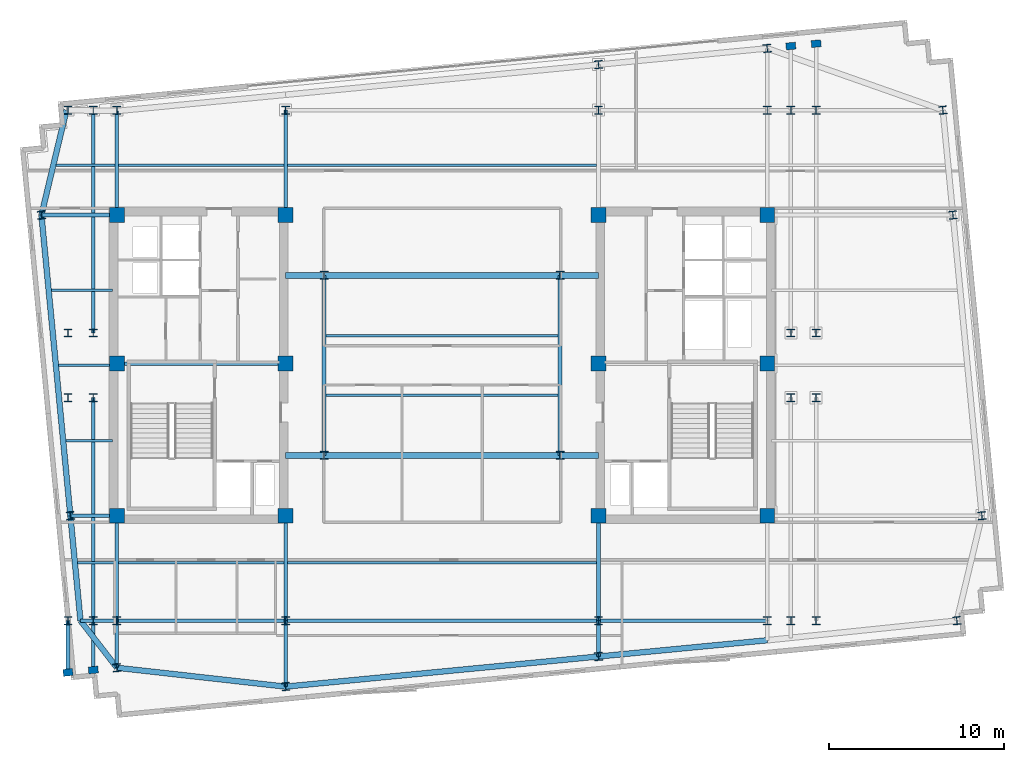
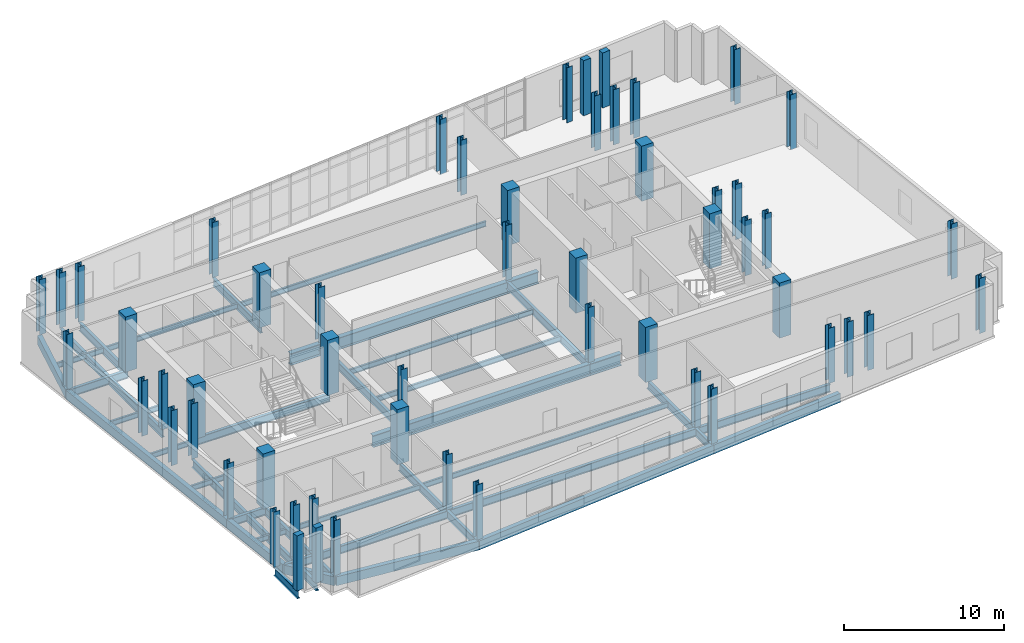
# One storey, part 1 of 11: 55 columns, 45 beams.
"""IFC4 building model written with IfcOpenShell, lengths in metres."""

from ifc_helpers import new_model, si_unit, direction, frame, origin, origin_2d, place, context, subcontext, project, spatial, rectangle, i_section, extrude, material, material_profile, profile_set, type_object, element, save


model = new_model("IFC4")

# Units and contexts
model_context = context("Model", 3, precision=1e-05, world=origin(), true_north=direction((0.0, 1.0)))
body_context = subcontext(model_context, "Body", "Model", "MODEL_VIEW")
ifc_project = project(units=[si_unit("LENGTHUNIT", "METRE"), si_unit("AREAUNIT", "SQUARE_METRE"), si_unit("VOLUMEUNIT", "CUBIC_METRE"), si_unit("PLANEANGLEUNIT", "RADIAN"), si_unit("MASSUNIT", "GRAM", prefix="KILO")], contexts=[model_context])

# Site, building, storey
site_placement = place(None, origin())
site = spatial("IfcSite", under=ifc_project, at=site_placement, CompositionType="ELEMENT")
building_placement = place(site_placement, origin())
building = spatial("IfcBuilding", under=site, at=building_placement, Name="Velakula Bourse", CompositionType="ELEMENT")
storey_placement = place(building_placement, frame((0.0, 0.0, 282.75)))
storey = spatial("IfcBuildingStorey", under=building, at=storey_placement, Name="L77", CompositionType="ELEMENT", Elevation=282.75)

# Columns
ifc_material_1 = material(Name="Concrete M50 (fck 50 MPa)", Category="concrete")
ifc_material_profile_1 = material_profile(ifc_material_1, rectangle(XDim=0.85009765625, YDim=0.85009765625, at=origin_2d()), Name="Concrete M50 (fck 50 MPa)")
ifc_profile_set_1 = profile_set([ifc_material_profile_1], Name="Concrete M50 (fck 50 MPa)")
column_type_1 = type_object("IfcColumnType", Name="COL-RC-850", PredefinedType="COLUMN", material=ifc_profile_set_1)
for number, where, z_axis, x_axis, name in (
    (1, (-8.949951171875, -8.60009765625, 0.0), (0.0, 0.0, 1.0), (1.0, 0.0, 0.0), "L77 Core Boundary Column 01"),
    (2, (-8.949951171875, 0.10009765625, 0.0), (0.0, 0.0, 1.0), (1.0, 0.0, 0.0), "L77 Core Boundary Column 02"),
    (3, (-8.949951171875, 8.60009765625, 0.0), (0.0, 0.0, 1.0), (1.0, 0.0, 0.0), "L77 Core Boundary Column 03"),
    (4, (-18.60009765625, -8.60009765625, 0.0), (0.0, 0.0, 1.0), (1.0, 0.0, 0.0), "L77 Core Boundary Column 04"),
    (5, (-18.60009765625, 0.10009765625, 0.0), (0.0, 0.0, 1.0), (1.0, 0.0, 0.0), "L77 Core Boundary Column 05"),
    (6, (-18.60009765625, 8.60009765625, 0.0), (0.0, 0.0, 1.0), (1.0, 0.0, 0.0), "L77 Core Boundary Column 06"),
    (7, (8.949951171875, -8.60009765625, 0.0), (0.0, 0.0, 1.0), (1.0, 0.0, 0.0), "L77 Core Boundary Column 07"),
    (8, (8.949951171875, 0.10009765625, 0.0), (0.0, 0.0, 1.0), (1.0, 0.0, 0.0), "L77 Core Boundary Column 08"),
    (9, (8.949951171875, 8.60009765625, 0.0), (0.0, 0.0, 1.0), (1.0, 0.0, 0.0), "L77 Core Boundary Column 09"),
    (10, (18.60009765625, -8.60009765625, 0.0), (0.0, 0.0, 1.0), (1.0, 0.0, 0.0), "L77 Core Boundary Column 10"),
    (11, (18.60009765625, 0.10009765625, 0.0), (0.0, 0.0, 1.0), (1.0, 0.0, 0.0), "L77 Core Boundary Column 11"),
    (12, (18.60009765625, 8.60009765625, 0.0), (0.0, 0.0, 1.0), (1.0, 0.0, 0.0), "L77 Core Boundary Column 12"),
):
    element("IfcColumn", number, at=place(storey_placement, frame(where, z_axis=z_axis, x_axis=x_axis)), inside=storey, type_object=column_type_1, Name=name, PredefinedType="COLUMN", context=body_context, shape_type="SweptSolid", body=[
        extrude(rectangle(XDim=0.85009765625, YDim=0.85009765625, at=origin_2d()), origin(), (0.0, 0.0, 1.0), 4.199951171875),
    ])
ifc_material_2 = material(Name="Steel IS 2062 Grade 350 (E350)", Category="steel")
ifc_material_profile_2 = material_profile(ifc_material_2, i_section(OverallWidth=0.449951171875, OverallDepth=0.449951171875, WebThickness=0.02197265625, FlangeThickness=0.031982421875, at=origin_2d()), Name="Steel IS 2062 Grade 350 (E350)")
ifc_profile_set_2 = profile_set([ifc_material_profile_2], Name="Steel IS 2062 Grade 350 (E350)")
column_type_2 = type_object("IfcColumnType", Name="COL-STL-450", PredefinedType="COLUMN", material=ifc_profile_set_2)
for number, where, z_axis, x_axis, name in (
    (13, (-6.75, -5.14990234375, 0.0), (0.0, 0.0, 1.0), (1.0, 0.0, 0.0), "L77 Central Spine Column 01"),
    (14, (-6.75, 5.14990234375, 0.0), (0.0, 0.0, 1.0), (1.0, 0.0, 0.0), "L77 Central Spine Column 02"),
    (15, (6.75, -5.14990234375, 0.0), (0.0, 0.0, 1.0), (1.0, 0.0, 0.0), "L77 Central Spine Column 03"),
    (16, (6.75, 5.14990234375, 0.0), (0.0, 0.0, 1.0), (1.0, 0.0, 0.0), "L77 Central Spine Column 04"),
    (17, (-21.39990234375, -14.60009765625, 0.0), (0.0, 0.0, 1.0), (1.0, 0.0, 0.0), "L77 Tower Fulcrum Column 01"),
    (18, (-21.39990234375, 14.60009765625, 0.0), (0.0, 0.0, 1.0), (1.0, 0.0, 0.0), "L77 Tower Fulcrum Column 02"),
    (19, (-19.949951171875, -14.60009765625, 0.0), (0.0, 0.0, 1.0), (1.0, 0.0, 0.0), "L77 Tower Fulcrum Column 03"),
    (20, (-19.949951171875, 14.60009765625, 0.0), (0.0, 0.0, 1.0), (1.0, 0.0, 0.0), "L77 Tower Fulcrum Column 04"),
    (21, (-18.60009765625, -14.60009765625, 0.0), (0.0, 0.0, 1.0), (1.0, 0.0, 0.0), "L77 Tower Fulcrum Column 05"),
    (22, (-18.60009765625, 14.60009765625, 0.0), (0.0, 0.0, 1.0), (1.0, 0.0, 0.0), "L77 Tower Fulcrum Column 06"),
    (23, (-8.949951171875, -14.60009765625, 0.0), (0.0, 0.0, 1.0), (1.0, 0.0, 0.0), "L77 Tower Fulcrum Column 07"),
    (24, (-8.949951171875, 14.60009765625, 0.0), (0.0, 0.0, 1.0), (1.0, 0.0, 0.0), "L77 Tower Fulcrum Column 08"),
    (25, (8.949951171875, -14.60009765625, 0.0), (0.0, 0.0, 1.0), (1.0, 0.0, 0.0), "L77 Tower Fulcrum Column 09"),
    (26, (8.949951171875, 14.60009765625, 0.0), (0.0, 0.0, 1.0), (1.0, 0.0, 0.0), "L77 Tower Fulcrum Column 10"),
    (27, (18.60009765625, -14.60009765625, 0.0), (0.0, 0.0, 1.0), (1.0, 0.0, 0.0), "L77 Tower Fulcrum Column 11"),
    (28, (18.60009765625, 14.60009765625, 0.0), (0.0, 0.0, 1.0), (1.0, 0.0, 0.0), "L77 Tower Fulcrum Column 12"),
    (29, (19.949951171875, -14.60009765625, 0.0), (0.0, 0.0, 1.0), (1.0, 0.0, 0.0), "L77 Tower Fulcrum Column 13"),
    (30, (19.949951171875, 14.60009765625, 0.0), (0.0, 0.0, 1.0), (1.0, 0.0, 0.0), "L77 Tower Fulcrum Column 14"),
    (31, (21.39990234375, -14.60009765625, 0.0), (0.0, 0.0, 1.0), (1.0, 0.0, 0.0), "L77 Tower Fulcrum Column 15"),
    (32, (21.39990234375, 14.60009765625, 0.0), (0.0, 0.0, 1.0), (1.0, 0.0, 0.0), "L77 Tower Fulcrum Column 16"),
    (33, (-21.39990234375, -1.85009765625, 0.0), (0.0, 0.0, 1.0), (1.0, 0.0, 0.0), "L77 Tower Fulcrum Column 17"),
    (34, (-21.39990234375, 1.85009765625, 0.0), (0.0, 0.0, 1.0), (1.0, 0.0, 0.0), "L77 Tower Fulcrum Column 18"),
    (35, (-19.949951171875, -1.85009765625, 0.0), (0.0, 0.0, 1.0), (1.0, 0.0, 0.0), "L77 Tower Fulcrum Column 19"),
    (36, (-19.949951171875, 1.85009765625, 0.0), (0.0, 0.0, 1.0), (1.0, 0.0, 0.0), "L77 Tower Fulcrum Column 20"),
    (37, (19.949951171875, -1.85009765625, 0.0), (0.0, 0.0, 1.0), (1.0, 0.0, 0.0), "L77 Tower Fulcrum Column 21"),
    (38, (19.949951171875, 1.85009765625, 0.0), (0.0, 0.0, 1.0), (1.0, 0.0, 0.0), "L77 Tower Fulcrum Column 22"),
    (39, (21.39990234375, -1.85009765625, 0.0), (0.0, 0.0, 1.0), (1.0, 0.0, 0.0), "L77 Tower Fulcrum Column 23"),
    (40, (21.39990234375, 1.85009765625, 0.0), (0.0, 0.0, 1.0), (1.0, 0.0, 0.0), "L77 Tower Fulcrum Column 24"),
    (41, (-18.60009765625, -17.294921875, 0.0), (0.0, 0.0, 1.0), (0.995396198367, 0.09584575252, 0.0), "L77 Block B6 Perimeter Column S1"),
    (42, (-8.949951171875, -18.375, 0.0), (0.0, 0.0, 1.0), (0.995396198367, 0.09584575252, 0.0), "L77 Block B6 Perimeter Column S2"),
    (43, (8.949951171875, -16.6513671875, 0.0), (0.0, 0.0, 1.0), (0.995396198367, 0.09584575252, 0.0), "L77 Block B6 Perimeter Column S3"),
    (44, (8.949951171875, 17.20458984375, 0.0), (0.0, 0.0, 1.0), (0.995396198367, 0.09584575252, 0.0), "L77 Block B6 Perimeter Column N3"),
    (45, (18.60009765625, 18.1337890625, 0.0), (0.0, 0.0, 1.0), (0.995396198367, 0.09584575252, 0.0), "L77 Block B6 Perimeter Column N4"),
    (46, (-21.26123046875, -8.60009765625, 0.0), (0.0, 0.0, 1.0), (0.995396198367, 0.09584575252, 0.0), "L77 Block B6 Perimeter Column W2"),
    (47, (-22.91748046875, 8.60009765625, 0.0), (0.0, 0.0, 1.0), (0.995396198367, 0.09584575252, 0.0), "L77 Block B6 Perimeter Column W3"),
    (48, (29.447265625, -14.60009765625, 0.0), (0.0, 0.0, 1.0), (0.995396198367, 0.09584575252, 0.0), "L77 Block B6 Perimeter Column E1"),
    (49, (30.87890625, -8.60009765625, 0.0), (0.0, 0.0, 1.0), (0.995396198367, 0.09584575252, 0.0), "L77 Block B6 Perimeter Column E2"),
    (50, (29.22265625, 8.60009765625, 0.0), (0.0, 0.0, 1.0), (0.995396198367, 0.09584575252, 0.0), "L77 Block B6 Perimeter Column E3"),
    (51, (28.64501953125, 14.60009765625, 0.0), (0.0, 0.0, 1.0), (0.995396198367, 0.09584575252, 0.0), "L77 Block B6 Perimeter Column E4"),
):
    element("IfcColumn", number, at=place(storey_placement, frame(where, z_axis=z_axis, x_axis=x_axis)), inside=storey, type_object=column_type_2, Name=name, PredefinedType="COLUMN", context=body_context, shape_type="SweptSolid", body=[
        extrude(i_section(OverallWidth=0.449951171875, OverallDepth=0.449951171875, WebThickness=0.02197265625, FlangeThickness=0.031982421875, at=origin_2d()), origin(), (0.0, 0.0, 1.0), 4.199951171875),
    ])
ifc_material_3 = material(Name="Precast concrete M45 (fck 45 MPa)", Category="concrete")
ifc_material_profile_3 = material_profile(ifc_material_3, rectangle(XDim=0.550048828125, YDim=0.39990234375, at=origin_2d()), Name="Precast concrete M45 (fck 45 MPa)")
ifc_profile_set_3 = profile_set([ifc_material_profile_3], Name="Precast concrete M45 (fck 45 MPa)")
column_type_3 = type_object("IfcColumnType", Name="PIL-BRICK-550", PredefinedType="PILASTER", material=ifc_profile_set_3)
for number, where, z_axis, x_axis, name in (
    (52, (-21.39990234375, -17.564453125, 0.0), (0.0, 0.0, 1.0), (0.995396198367, 0.09584575252, 0.0), "L77 Brick Pier Pilaster 01"),
    (53, (-19.949951171875, -17.4248046875, 0.0), (0.0, 0.0, 1.0), (0.995396198367, 0.09584575252, 0.0), "L77 Brick Pier Pilaster 02"),
    (54, (19.949951171875, 18.263671875, 0.0), (0.0, 0.0, 1.0), (0.995396198367, 0.09584575252, 0.0), "L77 Brick Pier Pilaster 07"),
    (55, (21.39990234375, 18.4033203125, 0.0), (0.0, 0.0, 1.0), (0.995396198367, 0.09584575252, 0.0), "L77 Brick Pier Pilaster 08"),
):
    element("IfcColumn", number, at=place(storey_placement, frame(where, z_axis=z_axis, x_axis=x_axis)), inside=storey, type_object=column_type_3, Name=name, PredefinedType="PILASTER", context=body_context, shape_type="SweptSolid", body=[
        extrude(rectangle(XDim=0.550048828125, YDim=0.39990234375, at=origin_2d()), origin(), (0.0, 0.0, 1.0), 4.199951171875),
    ])

# Beams
ifc_material_profile_4 = material_profile(ifc_material_2, i_section(OverallWidth=0.2099609375, OverallDepth=0.60009765625, WebThickness=0.011962890625, FlangeThickness=0.020751953125, at=origin_2d()), Name="Steel IS 2062 Grade 350 (E350)")
ifc_profile_set_4 = profile_set([ifc_material_profile_4], Name="Steel IS 2062 Grade 350 (E350)")
beam_type_1 = type_object("IfcBeamType", Name="BM-GRD-600L", PredefinedType="BEAM", material=ifc_profile_set_4)
beam_1_placement = place(storey_placement, frame((-18.60009765625, 0.10009765625, -0.47998046875), z_axis=(1.0, 0.0, 0.0), x_axis=(0.0, 1.0, 0.0)))
element("IfcBeam", 56, at=beam_1_placement, inside=storey, type_object=beam_type_1, Name="L77 Primary Backbone Girder CRW-M", PredefinedType="BEAM", context=body_context, shape_type="SweptSolid", body=[
    extrude(i_section(OverallWidth=0.2099609375, OverallDepth=0.60009765625, WebThickness=0.011962890625, FlangeThickness=0.020751953125, at=origin_2d()), origin(), (0.0, 0.0, 1.0), 9.650146484375),
])
for number, where, z_axis, x_axis, name in (
    (57, (-6.75, -5.14990234375, -0.47998046875), (0.0, 1.0, 0.0), (-1.0, 0.0, 0.0), "L77 Primary Backbone Girder SPN-W"),
    (58, (6.75, -5.14990234375, -0.47998046875), (0.0, 1.0, 0.0), (-1.0, 0.0, 0.0), "L77 Primary Backbone Girder SPN-E"),
):
    element("IfcBeam", number, at=place(storey_placement, frame(where, z_axis=z_axis, x_axis=x_axis)), inside=storey, type_object=beam_type_1, Name=name, PredefinedType="BEAM", context=body_context, shape_type="SweptSolid", body=[
        extrude(i_section(OverallWidth=0.2099609375, OverallDepth=0.60009765625, WebThickness=0.011962890625, FlangeThickness=0.020751953125, at=origin_2d()), origin(), (0.0, 0.0, 1.0), 10.2998046875),
    ])
beam_2_placement = place(storey_placement, frame((-18.60009765625, -14.60009765625, -0.47998046875), z_axis=(0.0, 1.0, 0.0), x_axis=(-1.0, 0.0, 0.0)))
element("IfcBeam", 59, at=beam_2_placement, inside=storey, type_object=beam_type_1, Name="L77 Fulcrum Grid Girder FLC-WS", PredefinedType="BEAM", context=body_context, shape_type="SweptSolid", body=[
    extrude(i_section(OverallWidth=0.2099609375, OverallDepth=0.60009765625, WebThickness=0.011962890625, FlangeThickness=0.020751953125, at=origin_2d()), origin(), (0.0, 0.0, 1.0), 6.0),
])
beam_3_placement = place(storey_placement, frame((-18.60009765625, 8.60009765625, -0.47998046875), z_axis=(0.0, 1.0, 0.0), x_axis=(-1.0, 0.0, 0.0)))
element("IfcBeam", 60, at=beam_3_placement, inside=storey, type_object=beam_type_1, Name="L77 Fulcrum Grid Girder FLC-WN", PredefinedType="BEAM", context=body_context, shape_type="SweptSolid", body=[
    extrude(i_section(OverallWidth=0.2099609375, OverallDepth=0.60009765625, WebThickness=0.011962890625, FlangeThickness=0.020751953125, at=origin_2d()), origin(), (0.0, 0.0, 1.0), 5.95166015625),
])
for number, where, z_axis, x_axis, name in (
    (61, (-8.949951171875, -14.60009765625, -0.47998046875), (0.0, 1.0, 0.0), (-1.0, 0.0, 0.0), "L77 Fulcrum Grid Girder FLC-WCS"),
    (62, (-8.949951171875, 8.60009765625, -0.47998046875), (0.0, 1.0, 0.0), (-1.0, 0.0, 0.0), "L77 Fulcrum Grid Girder FLC-WCN"),
    (63, (8.949951171875, -14.60009765625, -0.47998046875), (0.0, 1.0, 0.0), (-1.0, 0.0, 0.0), "L77 Fulcrum Grid Girder FLC-ECS"),
):
    element("IfcBeam", number, at=place(storey_placement, frame(where, z_axis=z_axis, x_axis=x_axis)), inside=storey, type_object=beam_type_1, Name=name, PredefinedType="BEAM", context=body_context, shape_type="SweptSolid", body=[
        extrude(i_section(OverallWidth=0.2099609375, OverallDepth=0.60009765625, WebThickness=0.011962890625, FlangeThickness=0.020751953125, at=origin_2d()), origin(), (0.0, 0.0, 1.0), 6.0),
    ])
beam_4_placement = place(storey_placement, frame((-18.60009765625, -14.60009765625, -0.47998046875), z_axis=(1.0, 0.0, 0.0), x_axis=(0.0, 1.0, 0.0)))
element("IfcBeam", 64, at=beam_4_placement, inside=storey, type_object=beam_type_1, Name="L77 Fulcrum Grid Girder FLC-S1", PredefinedType="BEAM", context=body_context, shape_type="SweptSolid", body=[
    extrude(i_section(OverallWidth=0.2099609375, OverallDepth=0.60009765625, WebThickness=0.011962890625, FlangeThickness=0.020751953125, at=origin_2d()), origin(), (0.0, 0.0, 1.0), 9.650146484375),
])
beam_5_placement = place(storey_placement, frame((-8.949951171875, -14.60009765625, -0.47998046875), z_axis=(1.0, 0.0, 0.0), x_axis=(0.0, 1.0, 0.0)))
element("IfcBeam", 65, at=beam_5_placement, inside=storey, type_object=beam_type_1, Name="L77 Fulcrum Grid Girder FLC-S2", PredefinedType="BEAM", context=body_context, shape_type="SweptSolid", body=[
    extrude(i_section(OverallWidth=0.2099609375, OverallDepth=0.60009765625, WebThickness=0.011962890625, FlangeThickness=0.020751953125, at=origin_2d()), origin(), (0.0, 0.0, 1.0), 17.89990234375),
])
beam_6_placement = place(storey_placement, frame((8.949951171875, -14.60009765625, -0.47998046875), z_axis=(1.0, 0.0, 0.0), x_axis=(0.0, 1.0, 0.0)))
element("IfcBeam", 66, at=beam_6_placement, inside=storey, type_object=beam_type_1, Name="L77 Fulcrum Grid Girder FLC-S3", PredefinedType="BEAM", context=body_context, shape_type="SweptSolid", body=[
    extrude(i_section(OverallWidth=0.2099609375, OverallDepth=0.60009765625, WebThickness=0.011962890625, FlangeThickness=0.020751953125, at=origin_2d()), origin(), (0.0, 0.0, 1.0), 9.650146484375),
])
beam_7_placement = place(storey_placement, frame((-19.949951171875, -14.60009765625, -0.47998046875), z_axis=(0.0, 1.0, 0.0), x_axis=(-1.0, 0.0, 0.0)))
element("IfcBeam", 67, at=beam_7_placement, inside=storey, type_object=beam_type_1, Name="L77 Fulcrum Grid Girder FLC-PSW2", PredefinedType="BEAM", context=body_context, shape_type="SweptSolid", body=[
    extrude(i_section(OverallWidth=0.2099609375, OverallDepth=0.60009765625, WebThickness=0.011962890625, FlangeThickness=0.020751953125, at=origin_2d()), origin(), (0.0, 0.0, 1.0), 12.75),
])
beam_8_placement = place(storey_placement, frame((-19.949951171875, 1.85009765625, -0.47998046875), z_axis=(0.0, 1.0, 0.0), x_axis=(-1.0, 0.0, 0.0)))
element("IfcBeam", 68, at=beam_8_placement, inside=storey, type_object=beam_type_1, Name="L77 Fulcrum Grid Girder FLC-PNW2", PredefinedType="BEAM", context=body_context, shape_type="SweptSolid", body=[
    extrude(i_section(OverallWidth=0.2099609375, OverallDepth=0.60009765625, WebThickness=0.011962890625, FlangeThickness=0.020751953125, at=origin_2d()), origin(), (0.0, 0.0, 1.0), 12.72412109375),
])
beam_9_placement = place(storey_placement, frame((-18.60009765625, -14.60009765625, -0.47998046875), z_axis=(0.0, -1.0, 0.0), x_axis=(1.0, 0.0, 0.0)))
element("IfcBeam", 69, at=beam_9_placement, inside=storey, type_object=beam_type_1, Name="L77 Perimeter Tie Girder S1", PredefinedType="BEAM", context=body_context, shape_type="SweptSolid", body=[
    extrude(i_section(OverallWidth=0.2099609375, OverallDepth=0.60009765625, WebThickness=0.011962890625, FlangeThickness=0.020751953125, at=origin_2d()), origin(), (0.0, 0.0, 1.0), 2.69482421875),
])
beam_10_placement = place(storey_placement, frame((-8.949951171875, -14.60009765625, -0.47998046875), z_axis=(0.0, -1.0, 0.0), x_axis=(1.0, 0.0, 0.0)))
element("IfcBeam", 70, at=beam_10_placement, inside=storey, type_object=beam_type_1, Name="L77 Perimeter Tie Girder S2", PredefinedType="BEAM", context=body_context, shape_type="SweptSolid", body=[
    extrude(i_section(OverallWidth=0.2099609375, OverallDepth=0.60009765625, WebThickness=0.011962890625, FlangeThickness=0.020751953125, at=origin_2d()), origin(), (0.0, 0.0, 1.0), 3.77490234375),
])
beam_11_placement = place(storey_placement, frame((8.949951171875, -14.60009765625, -0.47998046875), z_axis=(0.0, -1.0, 0.0), x_axis=(1.0, 0.0, 0.0)))
element("IfcBeam", 71, at=beam_11_placement, inside=storey, type_object=beam_type_1, Name="L77 Perimeter Tie Girder S3", PredefinedType="BEAM", context=body_context, shape_type="SweptSolid", body=[
    extrude(i_section(OverallWidth=0.2099609375, OverallDepth=0.60009765625, WebThickness=0.011962890625, FlangeThickness=0.020751953125, at=origin_2d()), origin(), (0.0, 0.0, 1.0), 2.05126953125),
])
beam_12_placement = place(storey_placement, frame((-18.60009765625, -14.60009765625, -0.47998046875), z_axis=(-1.0, 0.0, 0.0), x_axis=(0.0, -1.0, 0.0)))
element("IfcBeam", 72, at=beam_12_placement, inside=storey, type_object=beam_type_1, Name="L77 Perimeter Tie Girder W1", PredefinedType="BEAM", context=body_context, shape_type="SweptSolid", body=[
    extrude(i_section(OverallWidth=0.2099609375, OverallDepth=0.60009765625, WebThickness=0.011962890625, FlangeThickness=0.020751953125, at=origin_2d()), origin(), (0.0, 0.0, 1.0), 2.08349609375),
])
beam_13_placement = place(storey_placement, frame((-18.60009765625, -8.60009765625, -0.47998046875), z_axis=(-1.0, 0.0, 0.0), x_axis=(0.0, -1.0, 0.0)))
element("IfcBeam", 73, at=beam_13_placement, inside=storey, type_object=beam_type_1, Name="L77 Perimeter Tie Girder W2", PredefinedType="BEAM", context=body_context, shape_type="SweptSolid", body=[
    extrude(i_section(OverallWidth=0.2099609375, OverallDepth=0.60009765625, WebThickness=0.011962890625, FlangeThickness=0.020751953125, at=origin_2d()), origin(), (0.0, 0.0, 1.0), 2.6611328125),
])
beam_14_placement = place(storey_placement, frame((-18.60009765625, 8.60009765625, -0.47998046875), z_axis=(-1.0, 0.0, 0.0), x_axis=(0.0, -1.0, 0.0)))
element("IfcBeam", 74, at=beam_14_placement, inside=storey, type_object=beam_type_1, Name="L77 Perimeter Tie Girder W3", PredefinedType="BEAM", context=body_context, shape_type="SweptSolid", body=[
    extrude(i_section(OverallWidth=0.2099609375, OverallDepth=0.60009765625, WebThickness=0.011962890625, FlangeThickness=0.020751953125, at=origin_2d()), origin(), (0.0, 0.0, 1.0), 4.3173828125),
])
beam_15_placement = place(storey_placement, frame((-21.39990234375, -14.60009765625, -0.47998046875), z_axis=(0.0, -1.0, 0.0), x_axis=(1.0, 0.0, 0.0)))
element("IfcBeam", 75, at=beam_15_placement, inside=storey, type_object=beam_type_1, Name="L77 Perimeter Tie Girder P01", PredefinedType="BEAM", context=body_context, shape_type="SweptSolid", body=[
    extrude(i_section(OverallWidth=0.2099609375, OverallDepth=0.60009765625, WebThickness=0.011962890625, FlangeThickness=0.020751953125, at=origin_2d()), origin(), (0.0, 0.0, 1.0), 2.96435546875),
])
beam_16_placement = place(storey_placement, frame((-19.949951171875, -14.60009765625, -0.47998046875), z_axis=(0.0, -1.0, 0.0), x_axis=(1.0, 0.0, 0.0)))
element("IfcBeam", 76, at=beam_16_placement, inside=storey, type_object=beam_type_1, Name="L77 Perimeter Tie Girder P02", PredefinedType="BEAM", context=body_context, shape_type="SweptSolid", body=[
    extrude(i_section(OverallWidth=0.2099609375, OverallDepth=0.60009765625, WebThickness=0.011962890625, FlangeThickness=0.020751953125, at=origin_2d()), origin(), (0.0, 0.0, 1.0), 2.82470703125),
])
ifc_material_profile_5 = material_profile(ifc_material_2, i_section(OverallWidth=0.35009765625, OverallDepth=0.89990234375, WebThickness=0.02001953125, FlangeThickness=0.031982421875, at=origin_2d()), Name="Steel IS 2062 Grade 350 (E350)")
ifc_profile_set_5 = profile_set([ifc_material_profile_5], Name="Steel IS 2062 Grade 350 (E350)")
beam_type_2 = type_object("IfcBeamType", Name="BM-LNK-900", PredefinedType="BEAM", material=ifc_profile_set_5)
beam_17_placement = place(storey_placement, frame((-8.949951171875, -5.14990234375, -0.6298828125), z_axis=(1.0, 0.0, 0.0), x_axis=(0.0, 1.0, 0.0)))
element("IfcBeam", 77, at=beam_17_placement, inside=storey, type_object=beam_type_2, Name="L77 Primary Backbone Girder LNK-S1", PredefinedType="BEAM", context=body_context, shape_type="SweptSolid", body=[
    extrude(i_section(OverallWidth=0.35009765625, OverallDepth=0.89990234375, WebThickness=0.02001953125, FlangeThickness=0.031982421875, at=origin_2d()), origin(), (0.0, 0.0, 1.0), 2.199951171875),
])
beam_18_placement = place(storey_placement, frame((-6.75, -5.14990234375, -0.6298828125), z_axis=(1.0, 0.0, 0.0), x_axis=(0.0, 1.0, 0.0)))
element("IfcBeam", 78, at=beam_18_placement, inside=storey, type_object=beam_type_2, Name="L77 Primary Backbone Girder LNK-S2", PredefinedType="BEAM", context=body_context, shape_type="SweptSolid", body=[
    extrude(i_section(OverallWidth=0.35009765625, OverallDepth=0.89990234375, WebThickness=0.02001953125, FlangeThickness=0.031982421875, at=origin_2d()), origin(), (0.0, 0.0, 1.0), 13.5),
])
for number, where, z_axis, x_axis, name in (
    (79, (6.75, -5.14990234375, -0.6298828125), (1.0, 0.0, 0.0), (0.0, 1.0, 0.0), "L77 Primary Backbone Girder LNK-S3"),
    (80, (-8.949951171875, 5.14990234375, -0.6298828125), (1.0, 0.0, 0.0), (0.0, 1.0, 0.0), "L77 Primary Backbone Girder LNK-N1"),
):
    element("IfcBeam", number, at=place(storey_placement, frame(where, z_axis=z_axis, x_axis=x_axis)), inside=storey, type_object=beam_type_2, Name=name, PredefinedType="BEAM", context=body_context, shape_type="SweptSolid", body=[
        extrude(i_section(OverallWidth=0.35009765625, OverallDepth=0.89990234375, WebThickness=0.02001953125, FlangeThickness=0.031982421875, at=origin_2d()), origin(), (0.0, 0.0, 1.0), 2.199951171875),
    ])
beam_19_placement = place(storey_placement, frame((-6.75, 5.14990234375, -0.6298828125), z_axis=(1.0, 0.0, 0.0), x_axis=(0.0, 1.0, 0.0)))
element("IfcBeam", 81, at=beam_19_placement, inside=storey, type_object=beam_type_2, Name="L77 Primary Backbone Girder LNK-N2", PredefinedType="BEAM", context=body_context, shape_type="SweptSolid", body=[
    extrude(i_section(OverallWidth=0.35009765625, OverallDepth=0.89990234375, WebThickness=0.02001953125, FlangeThickness=0.031982421875, at=origin_2d()), origin(), (0.0, 0.0, 1.0), 13.5),
])
beam_20_placement = place(storey_placement, frame((6.75, 5.14990234375, -0.6298828125), z_axis=(1.0, 0.0, 0.0), x_axis=(0.0, 1.0, 0.0)))
element("IfcBeam", 82, at=beam_20_placement, inside=storey, type_object=beam_type_2, Name="L77 Primary Backbone Girder LNK-N3", PredefinedType="BEAM", context=body_context, shape_type="SweptSolid", body=[
    extrude(i_section(OverallWidth=0.35009765625, OverallDepth=0.89990234375, WebThickness=0.02001953125, FlangeThickness=0.031982421875, at=origin_2d()), origin(), (0.0, 0.0, 1.0), 2.199951171875),
])
ifc_material_profile_6 = material_profile(ifc_material_2, i_section(OverallWidth=0.139892578125, OverallDepth=0.39990234375, WebThickness=0.0087890625, FlangeThickness=0.01611328125, at=origin_2d()), Name="Steel IS 2062 Grade 350 (E350)")
ifc_profile_set_6 = profile_set([ifc_material_profile_6], Name="Steel IS 2062 Grade 350 (E350)")
beam_type_3 = type_object("IfcBeamType", Name="JST-TWR-400", PredefinedType="JOIST", material=ifc_profile_set_6)
beam_21_placement = place(storey_placement, frame((-20.840576171875, -11.300048828125, -0.3798828125), z_axis=(1.0, 0.0, 0.0), x_axis=(0.0, 1.0, 0.0)))
element("IfcBeam", 83, at=beam_21_placement, inside=storey, type_object=beam_type_3, Name="L77 Trading Floor Composite Joist 03", PredefinedType="JOIST", context=body_context, shape_type="SweptSolid", body=[
    extrude(i_section(OverallWidth=0.139892578125, OverallDepth=0.39990234375, WebThickness=0.0087890625, FlangeThickness=0.01611328125, at=origin_2d()), origin(), (0.0, 0.0, 1.0), 2.135498046875),
])
beam_22_placement = place(storey_placement, frame((-18.4951171875, -11.300048828125, -0.3798828125), z_axis=(1.0, 0.0, 0.0), x_axis=(0.0, 1.0, 0.0)))
element("IfcBeam", 84, at=beam_22_placement, inside=storey, type_object=beam_type_3, Name="L77 Trading Floor Composite Joist 04", PredefinedType="JOIST", context=body_context, shape_type="SweptSolid", body=[
    extrude(i_section(OverallWidth=0.139892578125, OverallDepth=0.39990234375, WebThickness=0.0087890625, FlangeThickness=0.01611328125, at=origin_2d()), origin(), (0.0, 0.0, 1.0), 9.440185546875),
])
beam_23_placement = place(storey_placement, frame((-8.844970703125, -11.300048828125, -0.3798828125), z_axis=(1.0, 0.0, 0.0), x_axis=(0.0, 1.0, 0.0)))
element("IfcBeam", 85, at=beam_23_placement, inside=storey, type_object=beam_type_3, Name="L77 Trading Floor Composite Joist 05", PredefinedType="JOIST", context=body_context, shape_type="SweptSolid", body=[
    extrude(i_section(OverallWidth=0.139892578125, OverallDepth=0.39990234375, WebThickness=0.0087890625, FlangeThickness=0.01611328125, at=origin_2d()), origin(), (0.0, 0.0, 1.0), 17.68994140625),
])
beam_24_placement = place(storey_placement, frame((-22.072998046875, 11.449951171875, -0.3798828125), z_axis=(1.0, 0.0, 0.0), x_axis=(0.0, 1.0, 0.0)))
element("IfcBeam", 86, at=beam_24_placement, inside=storey, type_object=beam_type_3, Name="L77 Trading Floor Composite Joist 08", PredefinedType="JOIST", context=body_context, shape_type="SweptSolid", body=[
    extrude(i_section(OverallWidth=0.139892578125, OverallDepth=0.39990234375, WebThickness=0.0087890625, FlangeThickness=0.01611328125, at=origin_2d()), origin(), (0.0, 0.0, 1.0), 3.367919921875),
])
beam_25_placement = place(storey_placement, frame((-18.4951171875, 11.449951171875, -0.3798828125), z_axis=(1.0, 0.0, 0.0), x_axis=(0.0, 1.0, 0.0)))
element("IfcBeam", 87, at=beam_25_placement, inside=storey, type_object=beam_type_3, Name="L77 Trading Floor Composite Joist 09", PredefinedType="JOIST", context=body_context, shape_type="SweptSolid", body=[
    extrude(i_section(OverallWidth=0.139892578125, OverallDepth=0.39990234375, WebThickness=0.0087890625, FlangeThickness=0.01611328125, at=origin_2d()), origin(), (0.0, 0.0, 1.0), 9.440185546875),
])
beam_26_placement = place(storey_placement, frame((-8.844970703125, 11.449951171875, -0.3798828125), z_axis=(1.0, 0.0, 0.0), x_axis=(0.0, 1.0, 0.0)))
element("IfcBeam", 88, at=beam_26_placement, inside=storey, type_object=beam_type_3, Name="L77 Trading Floor Composite Joist 10", PredefinedType="JOIST", context=body_context, shape_type="SweptSolid", body=[
    extrude(i_section(OverallWidth=0.139892578125, OverallDepth=0.39990234375, WebThickness=0.0087890625, FlangeThickness=0.01611328125, at=origin_2d()), origin(), (0.0, 0.0, 1.0), 17.68994140625),
])
for number, where, z_axis, x_axis, name in (
    (89, (-6.64501953125, -1.699951171875, -0.3798828125), (1.0, 0.0, 0.0), (0.0, 1.0, 0.0), "L77 Trading Floor Composite Joist 14"),
    (90, (-6.64501953125, 1.699951171875, -0.3798828125), (1.0, 0.0, 0.0), (0.0, 1.0, 0.0), "L77 Trading Floor Composite Joist 15"),
):
    element("IfcBeam", number, at=place(storey_placement, frame(where, z_axis=z_axis, x_axis=x_axis)), inside=storey, type_object=beam_type_3, Name=name, PredefinedType="JOIST", context=body_context, shape_type="SweptSolid", body=[
        extrude(i_section(OverallWidth=0.139892578125, OverallDepth=0.39990234375, WebThickness=0.0087890625, FlangeThickness=0.01611328125, at=origin_2d()), origin(), (0.0, 0.0, 1.0), 13.2900390625),
    ])
beam_27_placement = place(storey_placement, frame((-21.514404296875, -4.300048828125, -0.3798828125), z_axis=(1.0, 0.0, 0.0), x_axis=(0.0, 1.0, 0.0)))
element("IfcBeam", 91, at=beam_27_placement, inside=storey, type_object=beam_type_3, Name="L77 Trading Floor Composite Joist 16", PredefinedType="JOIST", context=body_context, shape_type="SweptSolid", body=[
    extrude(i_section(OverallWidth=0.139892578125, OverallDepth=0.39990234375, WebThickness=0.0087890625, FlangeThickness=0.01611328125, at=origin_2d()), origin(), (0.0, 0.0, 1.0), 2.664306640625),
])
beam_28_placement = place(storey_placement, frame((-21.9287109375, 0.0, -0.3798828125), z_axis=(1.0, 0.0, 0.0), x_axis=(0.0, 1.0, 0.0)))
element("IfcBeam", 92, at=beam_28_placement, inside=storey, type_object=beam_type_3, Name="L77 Trading Floor Composite Joist 18", PredefinedType="JOIST", context=body_context, shape_type="SweptSolid", body=[
    extrude(i_section(OverallWidth=0.139892578125, OverallDepth=0.39990234375, WebThickness=0.0087890625, FlangeThickness=0.01611328125, at=origin_2d()), origin(), (0.0, 0.0, 1.0), 3.07861328125),
])
beam_29_placement = place(storey_placement, frame((-22.342529296875, 4.300048828125, -0.3798828125), z_axis=(1.0, 0.0, 0.0), x_axis=(0.0, 1.0, 0.0)))
element("IfcBeam", 93, at=beam_29_placement, inside=storey, type_object=beam_type_3, Name="L77 Trading Floor Composite Joist 20", PredefinedType="JOIST", context=body_context, shape_type="SweptSolid", body=[
    extrude(i_section(OverallWidth=0.139892578125, OverallDepth=0.39990234375, WebThickness=0.0087890625, FlangeThickness=0.01611328125, at=origin_2d()), origin(), (0.0, 0.0, 1.0), 3.492431640625),
])
ifc_material_profile_7 = material_profile(ifc_material_3, rectangle(XDim=0.320068359375, YDim=0.679931640625, at=origin_2d()), Name="Precast concrete M45 (fck 45 MPa)")
ifc_profile_set_7 = profile_set([ifc_material_profile_7], Name="Precast concrete M45 (fck 45 MPa)")
beam_type_4 = type_object("IfcBeamType", Name="SPN-BRICK-680", PredefinedType="SPANDREL", material=ifc_profile_set_7)
beam_30_placement = place(storey_placement, frame((-18.60009765625, -17.294921875, -0.52001953125), z_axis=(0.993794803874, -0.111228988093, 0.0), x_axis=(0.111228988093, 0.993794803874, 0.0)))
element("IfcBeam", 94, at=beam_30_placement, inside=storey, type_object=beam_type_4, Name="L77 Brick-Faced Precast Spandrel S1-S2", PredefinedType="SPANDREL", context=body_context, shape_type="SweptSolid", body=[
    extrude(rectangle(XDim=0.320068359375, YDim=0.679931640625, at=origin_2d()), origin(), (0.0, 0.0, 1.0), 9.71044921875),
])
beam_31_placement = place(storey_placement, frame((-8.949951171875, -18.375, -0.52001953125), z_axis=(0.995395836254, 0.095849513134, 0.0), x_axis=(-0.095849513134, 0.995395836254, 0.0)))
element("IfcBeam", 95, at=beam_31_placement, inside=storey, type_object=beam_type_4, Name="L77 Brick-Faced Precast Spandrel S2-S3", PredefinedType="SPANDREL", context=body_context, shape_type="SweptSolid", body=[
    extrude(rectangle(XDim=0.320068359375, YDim=0.679931640625, at=origin_2d()), origin(), (0.0, 0.0, 1.0), 17.982666015625),
])
beam_32_placement = place(storey_placement, frame((8.949951171875, -16.6513671875, -0.52001953125), z_axis=(0.99539623971, 0.095845323155, 0.0), x_axis=(-0.095845323155, 0.99539623971, 0.0)))
element("IfcBeam", 96, at=beam_32_placement, inside=storey, type_object=beam_type_4, Name="L77 Brick-Faced Precast Spandrel S3-S4", PredefinedType="SPANDREL", context=body_context, shape_type="SweptSolid", body=[
    extrude(rectangle(XDim=0.320068359375, YDim=0.679931640625, at=origin_2d()), origin(), (0.0, 0.0, 1.0), 9.69482421875),
])
beam_33_placement = place(storey_placement, frame((-20.68359375, -14.60009765625, -0.52001953125), z_axis=(-0.095829714309, 0.995397742541, 0.0), x_axis=(-0.995397742541, -0.095829714309, 0.0)))
element("IfcBeam", 97, at=beam_33_placement, inside=storey, type_object=beam_type_4, Name="L77 Brick-Faced Precast Spandrel W1-W2", PredefinedType="SPANDREL", context=body_context, shape_type="SweptSolid", body=[
    extrude(rectangle(XDim=0.320068359375, YDim=0.679931640625, at=origin_2d()), origin(), (0.0, 0.0, 1.0), 6.02783203125),
])
beam_34_placement = place(storey_placement, frame((-21.26123046875, -8.60009765625, -0.52001953125), z_axis=(-0.095849167925, 0.995395869495, 0.0), x_axis=(-0.995395869495, -0.095849167925, 0.0)))
element("IfcBeam", 98, at=beam_34_placement, inside=storey, type_object=beam_type_4, Name="L77 Brick-Faced Precast Spandrel W2-W3", PredefinedType="SPANDREL", context=body_context, shape_type="SweptSolid", body=[
    extrude(rectangle(XDim=0.320068359375, YDim=0.679931640625, at=origin_2d()), origin(), (0.0, 0.0, 1.0), 17.27978515625),
])
beam_35_placement = place(storey_placement, frame((-22.91748046875, 8.60009765625, -0.52001953125), z_axis=(0.232091371601, 0.972693988482, 0.0), x_axis=(-0.972693988482, 0.232091371601, 0.0)))
element("IfcBeam", 99, at=beam_35_placement, inside=storey, type_object=beam_type_4, Name="L77 Brick-Faced Precast Spandrel W3-W4", PredefinedType="SPANDREL", context=body_context, shape_type="SweptSolid", body=[
    extrude(rectangle(XDim=0.320068359375, YDim=0.679931640625, at=origin_2d()), origin(), (0.0, 0.0, 1.0), 6.16845703125),
])
beam_36_placement = place(storey_placement, frame((-20.68359375, -14.60009765625, -0.52001953125), z_axis=(0.61165554427, -0.791124197053, 0.0), x_axis=(0.791124197053, 0.61165554427, 0.0)))
element("IfcBeam", 100, at=beam_36_placement, inside=storey, type_object=beam_type_4, Name="L77 Brick-Faced Precast Spandrel W1-S1", PredefinedType="SPANDREL", context=body_context, shape_type="SweptSolid", body=[
    extrude(rectangle(XDim=0.320068359375, YDim=0.679931640625, at=origin_2d()), origin(), (0.0, 0.0, 1.0), 3.40625),
])

save(model, "model.ifc")
